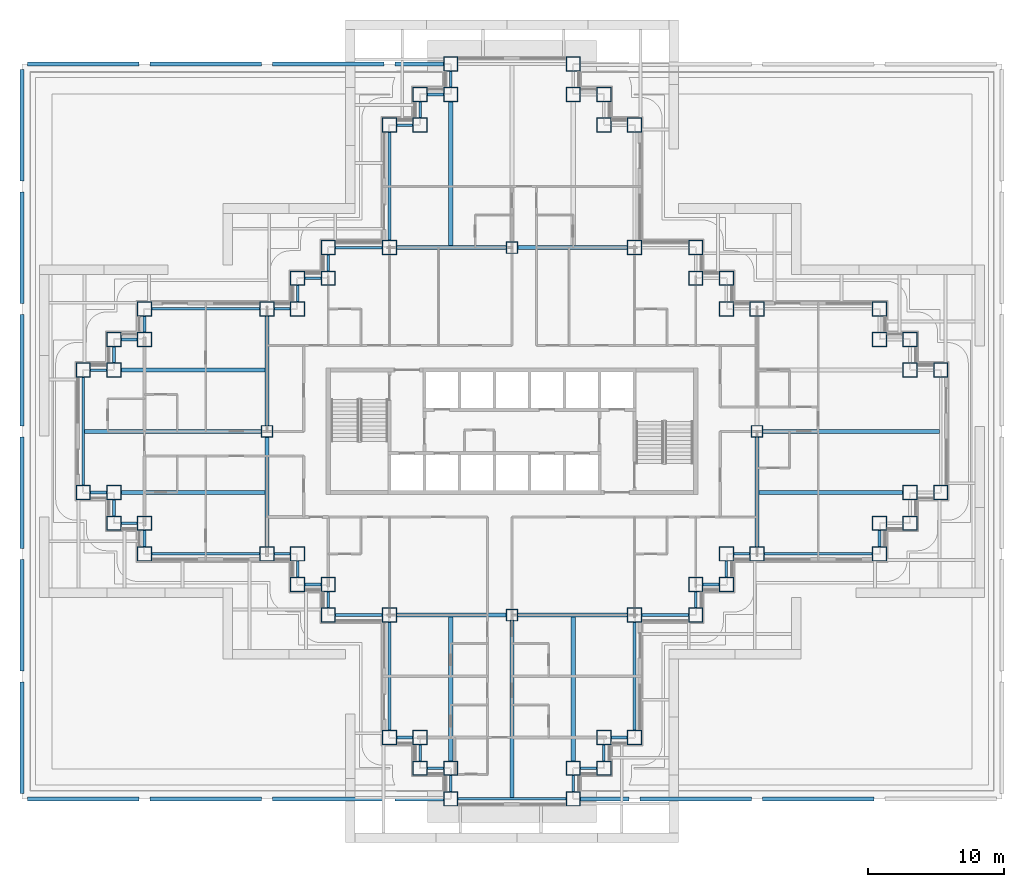
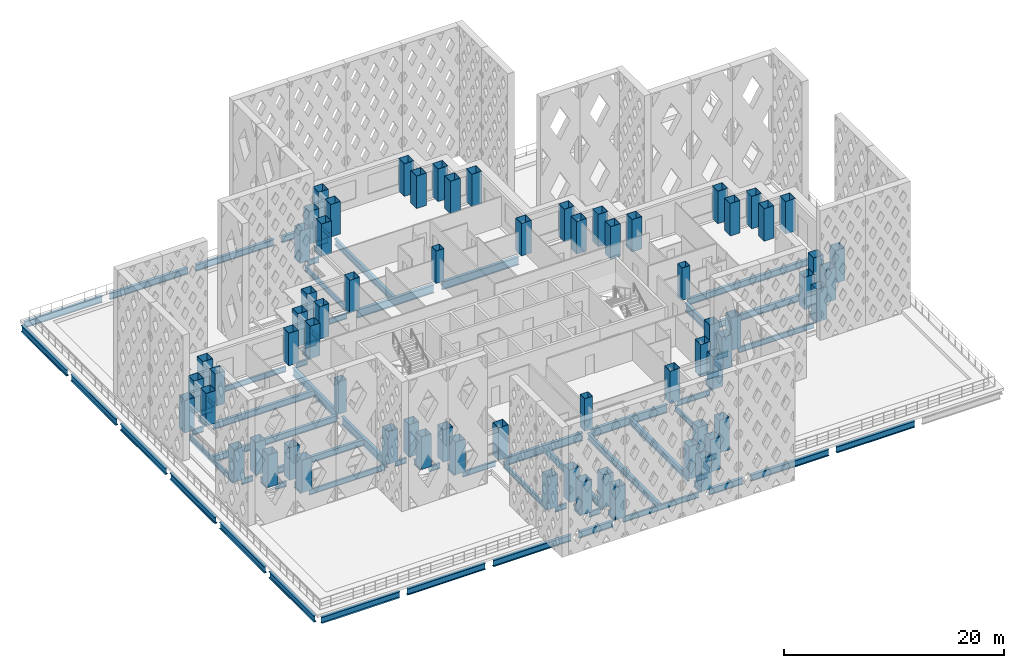
# One storey, part 1 of 26: 77 beams, 68 columns.
"""IFC4 building model written with IfcOpenShell, lengths in metres."""

from ifc_helpers import new_model, si_unit, direction, frame, origin, origin_2d, place, context, subcontext, project, spatial, hollow_rectangle, i_section, extrude, material, material_profile, profile_set, type_object, element, save


model = new_model("IFC4")

# Units and contexts
model_context = context("Model", 3, precision=1e-05, world=origin(), true_north=direction((0.0, 1.0)))
body_context = subcontext(model_context, "Body", "Model", "MODEL_VIEW")
ifc_project = project(units=[si_unit("LENGTHUNIT", "METRE"), si_unit("AREAUNIT", "SQUARE_METRE"), si_unit("VOLUMEUNIT", "CUBIC_METRE"), si_unit("PLANEANGLEUNIT", "RADIAN"), si_unit("MASSUNIT", "GRAM", prefix="KILO")], contexts=[model_context])

# Site, building, storey
site_placement = place(None, origin())
site = spatial("IfcSite", under=ifc_project, at=site_placement, CompositionType="ELEMENT")
building_placement = place(site_placement, origin())
building = spatial("IfcBuilding", under=site, at=building_placement, Name="Caravel Reach Hotel and Residences", CompositionType="ELEMENT")
storey_placement = place(building_placement, frame((0.0, 0.0, 33.60009765625)))
storey = spatial("IfcBuildingStorey", under=building, at=storey_placement, Name="L06", CompositionType="ELEMENT", Elevation=33.60009765625)

# Columns
ifc_material_1 = material(Name="Concrete-filled steel tube Q390B with Concrete C70 infill", Category="concrete")
ifc_material_profile_1 = material_profile(ifc_material_1, hollow_rectangle(XDim=1.050048828125, YDim=1.050048828125, WallThickness=0.033935546875, at=origin_2d()), Name="RHS 1050x1050x34")
ifc_profile_set_1 = profile_set([ifc_material_profile_1], Name="Concrete-filled steel tube Q390B with Concrete C70 infill")
column_type_1 = type_object("IfcColumnType", Name="CFT 1050x1050 Q390B C70", PredefinedType="COLUMN", material=ifc_profile_set_1)
for number, where, z_axis, x_axis, name in (
    (1, (22.5, 4.5, 0.0), (0.0, 0.0, 1.0), (1.0, 0.0, 0.0), "C11 column"),
    (2, (24.75, 4.5, 0.0), (0.0, 0.0, 1.0), (1.0, 0.0, 0.0), "C11 column"),
    (3, (24.75, 2.25, 0.0), (0.0, 0.0, 1.0), (1.0, 0.0, 0.0), "C11 column"),
    (4, (27.0, 2.25, 0.0), (0.0, 0.0, 1.0), (1.0, 0.0, 0.0), "C11 column"),
    (5, (27.0, 0.0, 0.0), (0.0, 0.0, 1.0), (1.0, 0.0, 0.0), "C11 column"),
    (6, (36.0, 0.0, 0.0), (0.0, 0.0, 1.0), (1.0, 0.0, 0.0), "C11 column"),
    (7, (36.0, 2.25, 0.0), (0.0, 0.0, 1.0), (1.0, 0.0, 0.0), "C11 column"),
    (8, (38.25, 2.25, 0.0), (0.0, 0.0, 1.0), (1.0, 0.0, 0.0), "C11 column"),
    (9, (38.25, 4.5, 0.0), (0.0, 0.0, 1.0), (1.0, 0.0, 0.0), "C11 column"),
    (10, (40.5, 4.5, 0.0), (0.0, 0.0, 1.0), (1.0, 0.0, 0.0), "C11 column"),
    (11, (40.5, 13.5, 0.0), (0.0, 0.0, 1.0), (1.0, 0.0, 0.0), "C11 column"),
    (12, (45.0, 13.5, 0.0), (0.0, 0.0, 1.0), (1.0, 0.0, 0.0), "C11 column"),
    (13, (45.0, 15.75, 0.0), (0.0, 0.0, 1.0), (1.0, 0.0, 0.0), "C11 column"),
    (14, (47.25, 15.75, 0.0), (0.0, 0.0, 1.0), (1.0, 0.0, 0.0), "C11 column"),
    (15, (47.25, 18.0, 0.0), (0.0, 0.0, 1.0), (1.0, 0.0, 0.0), "C11 column"),
    (16, (49.5, 18.0, 0.0), (0.0, 0.0, 1.0), (1.0, 0.0, 0.0), "C11 column"),
    (17, (58.5, 18.0, 0.0), (0.0, 0.0, 1.0), (1.0, 0.0, 0.0), "C11 column"),
    (18, (58.5, 20.25, 0.0), (0.0, 0.0, 1.0), (1.0, 0.0, 0.0), "C11 column"),
    (19, (60.75, 20.25, 0.0), (0.0, 0.0, 1.0), (1.0, 0.0, 0.0), "C11 column"),
    (20, (60.75, 22.5, 0.0), (0.0, 0.0, 1.0), (1.0, 0.0, 0.0), "C11 column"),
    (21, (63.0, 22.5, 0.0), (0.0, 0.0, 1.0), (1.0, 0.0, 0.0), "C11 column"),
    (22, (63.0, 31.5, 0.0), (0.0, 0.0, 1.0), (1.0, 0.0, 0.0), "C11 column"),
    (23, (60.75, 31.5, 0.0), (0.0, 0.0, 1.0), (1.0, 0.0, 0.0), "C11 column"),
    (24, (60.75, 33.75, 0.0), (0.0, 0.0, 1.0), (1.0, 0.0, 0.0), "C11 column"),
    (25, (58.5, 33.75, 0.0), (0.0, 0.0, 1.0), (1.0, 0.0, 0.0), "C11 column"),
    (26, (58.5, 36.0, 0.0), (0.0, 0.0, 1.0), (1.0, 0.0, 0.0), "C11 column"),
    (27, (49.5, 36.0, 0.0), (0.0, 0.0, 1.0), (1.0, 0.0, 0.0), "C11 column"),
    (28, (47.25, 36.0, 0.0), (0.0, 0.0, 1.0), (1.0, 0.0, 0.0), "C11 column"),
    (29, (47.25, 38.25, 0.0), (0.0, 0.0, 1.0), (1.0, 0.0, 0.0), "C11 column"),
    (30, (45.0, 38.25, 0.0), (0.0, 0.0, 1.0), (1.0, 0.0, 0.0), "C11 column"),
    (31, (45.0, 40.5, 0.0), (0.0, 0.0, 1.0), (1.0, 0.0, 0.0), "C11 column"),
    (32, (40.5, 40.5, 0.0), (0.0, 0.0, 1.0), (1.0, 0.0, 0.0), "C11 column"),
    (33, (40.5, 49.5, 0.0), (0.0, 0.0, 1.0), (1.0, 0.0, 0.0), "C11 column"),
    (34, (38.25, 49.5, 0.0), (0.0, 0.0, 1.0), (1.0, 0.0, 0.0), "C11 column"),
    (35, (38.25, 51.75, 0.0), (0.0, 0.0, 1.0), (1.0, 0.0, 0.0), "C11 column"),
    (36, (36.0, 51.75, 0.0), (0.0, 0.0, 1.0), (1.0, 0.0, 0.0), "C11 column"),
    (37, (36.0, 54.0, 0.0), (0.0, 0.0, 1.0), (1.0, 0.0, 0.0), "C11 column"),
    (38, (27.0, 54.0, 0.0), (0.0, 0.0, 1.0), (1.0, 0.0, 0.0), "C11 column"),
    (39, (27.0, 51.75, 0.0), (0.0, 0.0, 1.0), (1.0, 0.0, 0.0), "C11 column"),
    (40, (24.75, 51.75, 0.0), (0.0, 0.0, 1.0), (1.0, 0.0, 0.0), "C11 column"),
    (41, (24.75, 49.5, 0.0), (0.0, 0.0, 1.0), (1.0, 0.0, 0.0), "C11 column"),
    (42, (22.5, 49.5, 0.0), (0.0, 0.0, 1.0), (1.0, 0.0, 0.0), "C11 column"),
    (43, (22.5, 40.5, 0.0), (0.0, 0.0, 1.0), (1.0, 0.0, 0.0), "C11 column"),
    (44, (18.0, 40.5, 0.0), (0.0, 0.0, 1.0), (1.0, 0.0, 0.0), "C11 column"),
    (45, (18.0, 38.25, 0.0), (0.0, 0.0, 1.0), (1.0, 0.0, 0.0), "C11 column"),
    (46, (15.75, 38.25, 0.0), (0.0, 0.0, 1.0), (1.0, 0.0, 0.0), "C11 column"),
    (47, (15.75, 36.0, 0.0), (0.0, 0.0, 1.0), (1.0, 0.0, 0.0), "C11 column"),
    (48, (13.5, 36.0, 0.0), (0.0, 0.0, 1.0), (1.0, 0.0, 0.0), "C11 column"),
    (49, (4.5, 36.0, 0.0), (0.0, 0.0, 1.0), (1.0, 0.0, 0.0), "C11 column"),
    (50, (4.5, 33.75, 0.0), (0.0, 0.0, 1.0), (1.0, 0.0, 0.0), "C11 column"),
    (51, (2.25, 33.75, 0.0), (0.0, 0.0, 1.0), (1.0, 0.0, 0.0), "C11 column"),
    (52, (2.25, 31.5, 0.0), (0.0, 0.0, 1.0), (1.0, 0.0, 0.0), "C11 column"),
    (53, (0.0, 31.5, 0.0), (0.0, 0.0, 1.0), (1.0, 0.0, 0.0), "C11 column"),
    (54, (0.0, 22.5, 0.0), (0.0, 0.0, 1.0), (1.0, 0.0, 0.0), "C11 column"),
    (55, (2.25, 22.5, 0.0), (0.0, 0.0, 1.0), (1.0, 0.0, 0.0), "C11 column"),
    (56, (2.25, 20.25, 0.0), (0.0, 0.0, 1.0), (1.0, 0.0, 0.0), "C11 column"),
    (57, (4.5, 20.25, 0.0), (0.0, 0.0, 1.0), (1.0, 0.0, 0.0), "C11 column"),
    (58, (4.5, 18.0, 0.0), (0.0, 0.0, 1.0), (1.0, 0.0, 0.0), "C11 column"),
    (59, (13.5, 18.0, 0.0), (0.0, 0.0, 1.0), (1.0, 0.0, 0.0), "C11 column"),
    (60, (15.75, 18.0, 0.0), (0.0, 0.0, 1.0), (1.0, 0.0, 0.0), "C11 column"),
    (61, (15.75, 15.75, 0.0), (0.0, 0.0, 1.0), (1.0, 0.0, 0.0), "C11 column"),
    (62, (18.0, 15.75, 0.0), (0.0, 0.0, 1.0), (1.0, 0.0, 0.0), "C11 column"),
    (63, (18.0, 13.5, 0.0), (0.0, 0.0, 1.0), (1.0, 0.0, 0.0), "C11 column"),
    (64, (22.5, 13.5, 0.0), (0.0, 0.0, 1.0), (1.0, 0.0, 0.0), "C11 column"),
):
    element("IfcColumn", number, at=place(storey_placement, frame(where, z_axis=z_axis, x_axis=x_axis)), inside=storey, type_object=column_type_1, Name=name, PredefinedType="COLUMN", context=body_context, shape_type="SweptSolid", body=[
        extrude(hollow_rectangle(XDim=1.050048828125, YDim=1.050048828125, WallThickness=0.033935546875, at=origin_2d()), origin(), (0.0, 0.0, 1.0), 3.599853515625),
    ])
ifc_material_2 = material(Name="Concrete-filled steel tube Q390B with Concrete C70 infill", Category="concrete")
ifc_material_profile_2 = material_profile(ifc_material_2, hollow_rectangle(XDim=0.85009765625, YDim=0.85009765625, WallThickness=0.02587890625, at=origin_2d()), Name="RHS 850x850x26")
ifc_profile_set_2 = profile_set([ifc_material_profile_2], Name="Concrete-filled steel tube Q390B with Concrete C70 infill")
column_type_2 = type_object("IfcColumnType", Name="CFT 850x850 Q390B C70", PredefinedType="COLUMN", material=ifc_profile_set_2)
for number, where, z_axis, x_axis, name in (
    (65, (31.5, 40.5, 0.0), (0.0, 0.0, 1.0), (1.0, 0.0, 0.0), "C13 column"),
    (66, (31.5, 13.5, 0.0), (0.0, 0.0, 1.0), (1.0, 0.0, 0.0), "C13 column"),
    (67, (13.5, 27.0, 0.0), (0.0, 0.0, 1.0), (1.0, 0.0, 0.0), "C13 column"),
    (68, (49.5, 27.0, 0.0), (0.0, 0.0, 1.0), (1.0, 0.0, 0.0), "C13 column"),
):
    element("IfcColumn", number, at=place(storey_placement, frame(where, z_axis=z_axis, x_axis=x_axis)), inside=storey, type_object=column_type_2, Name=name, PredefinedType="COLUMN", context=body_context, shape_type="SweptSolid", body=[
        extrude(hollow_rectangle(XDim=0.85009765625, YDim=0.85009765625, WallThickness=0.02587890625, at=origin_2d()), origin(), (0.0, 0.0, 1.0), 3.599853515625),
    ])

# Beams
ifc_material_3 = material(Name="Structural steel Q355B", Category="steel")
ifc_material_profile_3 = material_profile(ifc_material_3, i_section(OverallWidth=0.300048828125, OverallDepth=0.699951171875, WebThickness=0.012939453125, FlangeThickness=0.02392578125, FilletRadius=0.01806640625, at=origin_2d()), Name="HN 700x300x13x24")
ifc_profile_set_3 = profile_set([ifc_material_profile_3], Name="Structural steel Q355B")
beam_type_1 = type_object("IfcBeamType", Name="Beam HN 700x300x13x24", PredefinedType="BEAM", material=ifc_profile_set_3)
for number, where, z_axis, x_axis, name in (
    (69, (27.0, 40.60009765625, -0.650146484375), (0.0, 1.0, 0.0), (-1.0, 0.0, 0.0), "B2 HN 700x300x13x24"),
    (70, (27.0, 13.39990234375, -0.650146484375), (0.0, -1.0, 0.0), (1.0, 0.0, 0.0), "B2 HN 700x300x13x24"),
):
    element("IfcBeam", number, at=place(storey_placement, frame(where, z_axis=z_axis, x_axis=x_axis)), inside=storey, type_object=beam_type_1, Name=name, PredefinedType="BEAM", context=body_context, shape_type="SweptSolid", body=[
        extrude(i_section(OverallWidth=0.300048828125, OverallDepth=0.699951171875, WebThickness=0.012939453125, FlangeThickness=0.02392578125, FilletRadius=0.01806640625, at=origin_2d()), origin(), (0.0, 0.0, 1.0), 10.6748046875),
    ])
beam_1_placement = place(storey_placement, frame((31.5, 13.125, -0.650146484375), z_axis=(0.0, -1.0, 0.0), x_axis=(1.0, 0.0, 0.0)))
element("IfcBeam", 71, at=beam_1_placement, inside=storey, type_object=beam_type_1, Name="B2 HN 700x300x13x24", PredefinedType="BEAM", context=body_context, shape_type="SweptSolid", body=[
    extrude(i_section(OverallWidth=0.300048828125, OverallDepth=0.699951171875, WebThickness=0.012939453125, FlangeThickness=0.02392578125, FilletRadius=0.01806640625, at=origin_2d()), origin(), (0.0, 0.0, 1.0), 13.02490234375),
])
for number, where, z_axis, x_axis, name in (
    (72, (36.0, 13.39990234375, -0.650146484375), (0.0, -1.0, 0.0), (1.0, 0.0, 0.0), "B2 HN 700x300x13x24"),
    (73, (49.60009765625, 22.5, -0.650146484375), (1.0, 0.0, 0.0), (0.0, 1.0, 0.0), "B2 HN 700x300x13x24"),
):
    element("IfcBeam", number, at=place(storey_placement, frame(where, z_axis=z_axis, x_axis=x_axis)), inside=storey, type_object=beam_type_1, Name=name, PredefinedType="BEAM", context=body_context, shape_type="SweptSolid", body=[
        extrude(i_section(OverallWidth=0.300048828125, OverallDepth=0.699951171875, WebThickness=0.012939453125, FlangeThickness=0.02392578125, FilletRadius=0.01806640625, at=origin_2d()), origin(), (0.0, 0.0, 1.0), 10.6748046875),
    ])
beam_2_placement = place(storey_placement, frame((49.875, 27.0, -0.650146484375), z_axis=(1.0, 0.0, 0.0), x_axis=(0.0, 1.0, 0.0)))
element("IfcBeam", 74, at=beam_2_placement, inside=storey, type_object=beam_type_1, Name="B2 HN 700x300x13x24", PredefinedType="BEAM", context=body_context, shape_type="SweptSolid", body=[
    extrude(i_section(OverallWidth=0.300048828125, OverallDepth=0.699951171875, WebThickness=0.012939453125, FlangeThickness=0.02392578125, FilletRadius=0.01806640625, at=origin_2d()), origin(), (0.0, 0.0, 1.0), 13.02490234375),
])
beam_3_placement = place(storey_placement, frame((13.39990234375, 22.5, -0.650146484375), z_axis=(-1.0, 0.0, 0.0), x_axis=(0.0, -1.0, 0.0)))
element("IfcBeam", 75, at=beam_3_placement, inside=storey, type_object=beam_type_1, Name="B2 HN 700x300x13x24", PredefinedType="BEAM", context=body_context, shape_type="SweptSolid", body=[
    extrude(i_section(OverallWidth=0.300048828125, OverallDepth=0.699951171875, WebThickness=0.012939453125, FlangeThickness=0.02392578125, FilletRadius=0.01806640625, at=origin_2d()), origin(), (0.0, 0.0, 1.0), 10.6748046875),
])
beam_4_placement = place(storey_placement, frame((13.125, 27.0, -0.650146484375), z_axis=(-1.0, 0.0, 0.0), x_axis=(0.0, -1.0, 0.0)))
element("IfcBeam", 76, at=beam_4_placement, inside=storey, type_object=beam_type_1, Name="B2 HN 700x300x13x24", PredefinedType="BEAM", context=body_context, shape_type="SweptSolid", body=[
    extrude(i_section(OverallWidth=0.300048828125, OverallDepth=0.699951171875, WebThickness=0.012939453125, FlangeThickness=0.02392578125, FilletRadius=0.01806640625, at=origin_2d()), origin(), (0.0, 0.0, 1.0), 13.02490234375),
])
beam_5_placement = place(storey_placement, frame((13.39990234375, 31.5, -0.650146484375), z_axis=(-1.0, 0.0, 0.0), x_axis=(0.0, -1.0, 0.0)))
element("IfcBeam", 77, at=beam_5_placement, inside=storey, type_object=beam_type_1, Name="B2 HN 700x300x13x24", PredefinedType="BEAM", context=body_context, shape_type="SweptSolid", body=[
    extrude(i_section(OverallWidth=0.300048828125, OverallDepth=0.699951171875, WebThickness=0.012939453125, FlangeThickness=0.02392578125, FilletRadius=0.01806640625, at=origin_2d()), origin(), (0.0, 0.0, 1.0), 10.6748046875),
])
ifc_material_4 = material(Name="Structural steel Q355B", Category="steel")
ifc_material_profile_4 = material_profile(ifc_material_4, i_section(OverallWidth=0.300048828125, OverallDepth=0.89990234375, WebThickness=0.01611328125, FlangeThickness=0.028076171875, FilletRadius=0.01806640625, at=origin_2d()), Name="HN 900x300x16x28")
ifc_profile_set_4 = profile_set([ifc_material_profile_4], Name="Structural steel Q355B")
beam_type_2 = type_object("IfcBeamType", Name="Beam HN 900x300x16x28", PredefinedType="BEAM", material=ifc_profile_set_4)
for number, where, z_axis, x_axis, name in (
    (78, (23.02490234375, 40.5, -0.75), (1.0, 0.0, 0.0), (0.0, 1.0, 0.0), "B3 HN 900x300x16x28"),
    (79, (31.925048828125, 40.5, -0.75), (1.0, 0.0, 0.0), (0.0, 1.0, 0.0), "B3 HN 900x300x16x28"),
    (80, (23.02490234375, 13.5, -0.75), (1.0, 0.0, 0.0), (0.0, 1.0, 0.0), "B3 HN 900x300x16x28"),
    (81, (31.925048828125, 13.5, -0.75), (1.0, 0.0, 0.0), (0.0, 1.0, 0.0), "B3 HN 900x300x16x28"),
    (82, (13.5, 18.52490234375, -0.75), (0.0, 1.0, 0.0), (-1.0, 0.0, 0.0), "B3 HN 900x300x16x28"),
    (83, (13.5, 27.425048828125, -0.75), (0.0, 1.0, 0.0), (-1.0, 0.0, 0.0), "B3 HN 900x300x16x28"),
    (84, (49.5, 18.52490234375, -0.75), (0.0, 1.0, 0.0), (-1.0, 0.0, 0.0), "B3 HN 900x300x16x28"),
):
    element("IfcBeam", number, at=place(storey_placement, frame(where, z_axis=z_axis, x_axis=x_axis)), inside=storey, type_object=beam_type_2, Name=name, PredefinedType="BEAM", context=body_context, shape_type="SweptSolid", body=[
        extrude(i_section(OverallWidth=0.300048828125, OverallDepth=0.89990234375, WebThickness=0.01611328125, FlangeThickness=0.028076171875, FilletRadius=0.01806640625, at=origin_2d()), origin(), (0.0, 0.0, 1.0), 8.050048828125),
    ])
ifc_material_5 = material(Name="Structural steel Q355B", Category="steel")
ifc_material_profile_5 = material_profile(ifc_material_5, i_section(OverallWidth=0.300048828125, OverallDepth=0.699951171875, WebThickness=0.012939453125, FlangeThickness=0.02392578125, FilletRadius=0.01806640625, at=origin_2d()), Name="HN 700x300x13x24")
ifc_profile_set_5 = profile_set([ifc_material_profile_5], Name="Structural steel Q355B")
beam_type_3 = type_object("IfcBeamType", Name="Edge beam HN 700x300x13x24", PredefinedType="USERDEFINED", material=ifc_profile_set_5)
for number, where, z_axis, x_axis, name in (
    (85, (58.10009765625, 0.0, -0.650146484375), (-1.0, 0.0, 0.0), (0.0, -1.0, 0.0), "EB2 HN 700x300x13x24"),
    (86, (49.10009765625, 0.0, -0.650146484375), (-1.0, 0.0, 0.0), (0.0, -1.0, 0.0), "EB2 HN 700x300x13x24"),
):
    element("IfcBeam", number, at=place(storey_placement, frame(where, z_axis=z_axis, x_axis=x_axis)), inside=storey, type_object=beam_type_3, Name=name, ObjectType="Edge beam", PredefinedType="USERDEFINED", context=body_context, shape_type="SweptSolid", body=[
        extrude(i_section(OverallWidth=0.300048828125, OverallDepth=0.699951171875, WebThickness=0.012939453125, FlangeThickness=0.02392578125, FilletRadius=0.01806640625, at=origin_2d()), origin(), (0.0, 0.0, 1.0), 8.2001953125),
    ])
beam_6_placement = place(storey_placement, frame((40.10009765625, 0.0, -0.650146484375), z_axis=(-1.0, 0.0, 0.0), x_axis=(0.0, -1.0, 0.0)))
element("IfcBeam", 87, at=beam_6_placement, inside=storey, type_object=beam_type_3, Name="EB2 HN 700x300x13x24", ObjectType="Edge beam", PredefinedType="USERDEFINED", context=body_context, shape_type="SweptSolid", body=[
    extrude(i_section(OverallWidth=0.300048828125, OverallDepth=0.699951171875, WebThickness=0.012939453125, FlangeThickness=0.02392578125, FilletRadius=0.01806640625, at=origin_2d()), origin(), (0.0, 0.0, 1.0), 3.550048828125),
])
for number, where, z_axis, x_axis, name in (
    (88, (-4.5, 0.39990234375, -0.650146484375), (0.0, 1.0, 0.0), (-1.0, 0.0, 0.0), "EB2 HN 700x300x13x24"),
    (89, (-4.5, 9.39990234375, -0.650146484375), (0.0, 1.0, 0.0), (-1.0, 0.0, 0.0), "EB2 HN 700x300x13x24"),
    (90, (-4.5, 18.39990234375, -0.650146484375), (0.0, 1.0, 0.0), (-1.0, 0.0, 0.0), "EB2 HN 700x300x13x24"),
    (91, (-4.5, 27.39990234375, -0.650146484375), (0.0, 1.0, 0.0), (-1.0, 0.0, 0.0), "EB2 HN 700x300x13x24"),
    (92, (-4.5, 36.39990234375, -0.650146484375), (0.0, 1.0, 0.0), (-1.0, 0.0, 0.0), "EB2 HN 700x300x13x24"),
    (93, (-4.5, 45.39990234375, -0.650146484375), (0.0, 1.0, 0.0), (-1.0, 0.0, 0.0), "EB2 HN 700x300x13x24"),
    (94, (-4.10009765625, 54.0, -0.650146484375), (1.0, 0.0, 0.0), (0.0, 1.0, 0.0), "EB2 HN 700x300x13x24"),
    (95, (4.89990234375, 54.0, -0.650146484375), (1.0, 0.0, 0.0), (0.0, 1.0, 0.0), "EB2 HN 700x300x13x24"),
    (96, (13.89990234375, 54.0, -0.650146484375), (1.0, 0.0, 0.0), (0.0, 1.0, 0.0), "EB2 HN 700x300x13x24"),
):
    element("IfcBeam", number, at=place(storey_placement, frame(where, z_axis=z_axis, x_axis=x_axis)), inside=storey, type_object=beam_type_3, Name=name, ObjectType="Edge beam", PredefinedType="USERDEFINED", context=body_context, shape_type="SweptSolid", body=[
        extrude(i_section(OverallWidth=0.300048828125, OverallDepth=0.699951171875, WebThickness=0.012939453125, FlangeThickness=0.02392578125, FilletRadius=0.01806640625, at=origin_2d()), origin(), (0.0, 0.0, 1.0), 8.2001953125),
    ])
for number, where, z_axis, x_axis, name in (
    (97, (22.89990234375, 54.0, -0.650146484375), (1.0, 0.0, 0.0), (0.0, 1.0, 0.0), "EB2 HN 700x300x13x24"),
    (98, (26.449951171875, 0.0, -0.650146484375), (-1.0, 0.0, 0.0), (0.0, -1.0, 0.0), "EB2 HN 700x300x13x24"),
):
    element("IfcBeam", number, at=place(storey_placement, frame(where, z_axis=z_axis, x_axis=x_axis)), inside=storey, type_object=beam_type_3, Name=name, ObjectType="Edge beam", PredefinedType="USERDEFINED", context=body_context, shape_type="SweptSolid", body=[
        extrude(i_section(OverallWidth=0.300048828125, OverallDepth=0.699951171875, WebThickness=0.012939453125, FlangeThickness=0.02392578125, FilletRadius=0.01806640625, at=origin_2d()), origin(), (0.0, 0.0, 1.0), 3.550048828125),
    ])
for number, where, z_axis, x_axis, name in (
    (99, (22.10009765625, 0.0, -0.650146484375), (-1.0, 0.0, 0.0), (0.0, -1.0, 0.0), "EB2 HN 700x300x13x24"),
    (100, (13.10009765625, 0.0, -0.650146484375), (-1.0, 0.0, 0.0), (0.0, -1.0, 0.0), "EB2 HN 700x300x13x24"),
    (101, (4.10009765625, 0.0, -0.650146484375), (-1.0, 0.0, 0.0), (0.0, -1.0, 0.0), "EB2 HN 700x300x13x24"),
):
    element("IfcBeam", number, at=place(storey_placement, frame(where, z_axis=z_axis, x_axis=x_axis)), inside=storey, type_object=beam_type_3, Name=name, ObjectType="Edge beam", PredefinedType="USERDEFINED", context=body_context, shape_type="SweptSolid", body=[
        extrude(i_section(OverallWidth=0.300048828125, OverallDepth=0.699951171875, WebThickness=0.012939453125, FlangeThickness=0.02392578125, FilletRadius=0.01806640625, at=origin_2d()), origin(), (0.0, 0.0, 1.0), 8.2001953125),
    ])
ifc_material_6 = material(Name="Structural steel Q355B", Category="steel")
ifc_material_profile_6 = material_profile(ifc_material_6, i_section(OverallWidth=0.199951171875, OverallDepth=0.60009765625, WebThickness=0.010986328125, FlangeThickness=0.01708984375, FilletRadius=0.012939453125, at=origin_2d()), Name="HN 600x200x11x17")
ifc_profile_set_6 = profile_set([ifc_material_profile_6], Name="Structural steel Q355B")
beam_type_4 = type_object("IfcBeamType", Name="Spandrel beam HN 600x200x11x17", PredefinedType="SPANDREL", material=ifc_profile_set_6)
for number, where, z_axis, x_axis, name in (
    (102, (23.02490234375, 4.5, -0.60009765625), (1.0, 0.0, 0.0), (0.0, 1.0, 0.0), "SP1 HN 600x200x11x17"),
    (103, (24.75, 3.97509765625, -0.60009765625), (0.0, -1.0, 0.0), (1.0, 0.0, 0.0), "SP1 HN 600x200x11x17"),
    (104, (25.27490234375, 2.25, -0.60009765625), (1.0, 0.0, 0.0), (0.0, 1.0, 0.0), "SP1 HN 600x200x11x17"),
    (105, (27.0, 1.72509765625, -0.60009765625), (0.0, -1.0, 0.0), (1.0, 0.0, 0.0), "SP1 HN 600x200x11x17"),
):
    element("IfcBeam", number, at=place(storey_placement, frame(where, z_axis=z_axis, x_axis=x_axis)), inside=storey, type_object=beam_type_4, Name=name, PredefinedType="SPANDREL", context=body_context, shape_type="SweptSolid", body=[
        extrude(i_section(OverallWidth=0.199951171875, OverallDepth=0.60009765625, WebThickness=0.010986328125, FlangeThickness=0.01708984375, FilletRadius=0.012939453125, at=origin_2d()), origin(), (0.0, 0.0, 1.0), 1.2001953125),
    ])
beam_7_placement = place(storey_placement, frame((27.52490234375, 0.0, -0.60009765625), z_axis=(1.0, 0.0, 0.0), x_axis=(0.0, 1.0, 0.0)))
element("IfcBeam", 106, at=beam_7_placement, inside=storey, type_object=beam_type_4, Name="SP1 HN 600x200x11x17", PredefinedType="SPANDREL", context=body_context, shape_type="SweptSolid", body=[
    extrude(i_section(OverallWidth=0.199951171875, OverallDepth=0.60009765625, WebThickness=0.010986328125, FlangeThickness=0.01708984375, FilletRadius=0.012939453125, at=origin_2d()), origin(), (0.0, 0.0, 1.0), 7.9501953125),
])
for number, where, z_axis, x_axis, name in (
    (107, (36.0, 0.52490234375, -0.60009765625), (0.0, 1.0, 0.0), (-1.0, 0.0, 0.0), "SP1 HN 600x200x11x17"),
    (108, (36.52490234375, 2.25, -0.60009765625), (1.0, 0.0, 0.0), (0.0, 1.0, 0.0), "SP1 HN 600x200x11x17"),
    (109, (38.25, 2.77490234375, -0.60009765625), (0.0, 1.0, 0.0), (-1.0, 0.0, 0.0), "SP1 HN 600x200x11x17"),
    (110, (38.77490234375, 4.5, -0.60009765625), (1.0, 0.0, 0.0), (0.0, 1.0, 0.0), "SP1 HN 600x200x11x17"),
):
    element("IfcBeam", number, at=place(storey_placement, frame(where, z_axis=z_axis, x_axis=x_axis)), inside=storey, type_object=beam_type_4, Name=name, PredefinedType="SPANDREL", context=body_context, shape_type="SweptSolid", body=[
        extrude(i_section(OverallWidth=0.199951171875, OverallDepth=0.60009765625, WebThickness=0.010986328125, FlangeThickness=0.01708984375, FilletRadius=0.012939453125, at=origin_2d()), origin(), (0.0, 0.0, 1.0), 1.2001953125),
    ])
beam_8_placement = place(storey_placement, frame((40.5, 5.02490234375, -0.60009765625), z_axis=(0.0, 1.0, 0.0), x_axis=(-1.0, 0.0, 0.0)))
element("IfcBeam", 111, at=beam_8_placement, inside=storey, type_object=beam_type_4, Name="SP1 HN 600x200x11x17", PredefinedType="SPANDREL", context=body_context, shape_type="SweptSolid", body=[
    extrude(i_section(OverallWidth=0.199951171875, OverallDepth=0.60009765625, WebThickness=0.010986328125, FlangeThickness=0.01708984375, FilletRadius=0.012939453125, at=origin_2d()), origin(), (0.0, 0.0, 1.0), 7.9501953125),
])
beam_9_placement = place(storey_placement, frame((41.02490234375, 13.5, -0.60009765625), z_axis=(1.0, 0.0, 0.0), x_axis=(0.0, 1.0, 0.0)))
element("IfcBeam", 112, at=beam_9_placement, inside=storey, type_object=beam_type_4, Name="SP1 HN 600x200x11x17", PredefinedType="SPANDREL", context=body_context, shape_type="SweptSolid", body=[
    extrude(i_section(OverallWidth=0.199951171875, OverallDepth=0.60009765625, WebThickness=0.010986328125, FlangeThickness=0.01708984375, FilletRadius=0.012939453125, at=origin_2d()), origin(), (0.0, 0.0, 1.0), 3.4501953125),
])
for number, where, z_axis, x_axis, name in (
    (113, (45.0, 14.02490234375, -0.60009765625), (0.0, 1.0, 0.0), (-1.0, 0.0, 0.0), "SP1 HN 600x200x11x17"),
    (114, (45.52490234375, 15.75, -0.60009765625), (1.0, 0.0, 0.0), (0.0, 1.0, 0.0), "SP1 HN 600x200x11x17"),
    (115, (47.25, 16.27490234375, -0.60009765625), (0.0, 1.0, 0.0), (-1.0, 0.0, 0.0), "SP1 HN 600x200x11x17"),
    (116, (47.77490234375, 18.0, -0.60009765625), (1.0, 0.0, 0.0), (0.0, 1.0, 0.0), "SP1 HN 600x200x11x17"),
):
    element("IfcBeam", number, at=place(storey_placement, frame(where, z_axis=z_axis, x_axis=x_axis)), inside=storey, type_object=beam_type_4, Name=name, PredefinedType="SPANDREL", context=body_context, shape_type="SweptSolid", body=[
        extrude(i_section(OverallWidth=0.199951171875, OverallDepth=0.60009765625, WebThickness=0.010986328125, FlangeThickness=0.01708984375, FilletRadius=0.012939453125, at=origin_2d()), origin(), (0.0, 0.0, 1.0), 1.2001953125),
    ])
beam_10_placement = place(storey_placement, frame((50.02490234375, 18.0, -0.60009765625), z_axis=(1.0, 0.0, 0.0), x_axis=(0.0, 1.0, 0.0)))
element("IfcBeam", 117, at=beam_10_placement, inside=storey, type_object=beam_type_4, Name="SP1 HN 600x200x11x17", PredefinedType="SPANDREL", context=body_context, shape_type="SweptSolid", body=[
    extrude(i_section(OverallWidth=0.199951171875, OverallDepth=0.60009765625, WebThickness=0.010986328125, FlangeThickness=0.01708984375, FilletRadius=0.012939453125, at=origin_2d()), origin(), (0.0, 0.0, 1.0), 7.9501953125),
])
for number, where, z_axis, x_axis, name in (
    (118, (58.5, 18.52490234375, -0.60009765625), (0.0, 1.0, 0.0), (-1.0, 0.0, 0.0), "SP1 HN 600x200x11x17"),
    (119, (27.0, 53.47509765625, -0.60009765625), (0.0, -1.0, 0.0), (1.0, 0.0, 0.0), "SP1 HN 600x200x11x17"),
    (120, (26.47509765625, 51.75, -0.60009765625), (-1.0, 0.0, 0.0), (0.0, -1.0, 0.0), "SP1 HN 600x200x11x17"),
    (121, (24.75, 51.22509765625, -0.60009765625), (0.0, -1.0, 0.0), (1.0, 0.0, 0.0), "SP1 HN 600x200x11x17"),
    (122, (24.22509765625, 49.5, -0.60009765625), (-1.0, 0.0, 0.0), (0.0, -1.0, 0.0), "SP1 HN 600x200x11x17"),
):
    element("IfcBeam", number, at=place(storey_placement, frame(where, z_axis=z_axis, x_axis=x_axis)), inside=storey, type_object=beam_type_4, Name=name, PredefinedType="SPANDREL", context=body_context, shape_type="SweptSolid", body=[
        extrude(i_section(OverallWidth=0.199951171875, OverallDepth=0.60009765625, WebThickness=0.010986328125, FlangeThickness=0.01708984375, FilletRadius=0.012939453125, at=origin_2d()), origin(), (0.0, 0.0, 1.0), 1.2001953125),
    ])
beam_11_placement = place(storey_placement, frame((22.5, 48.97509765625, -0.60009765625), z_axis=(0.0, -1.0, 0.0), x_axis=(1.0, 0.0, 0.0)))
element("IfcBeam", 123, at=beam_11_placement, inside=storey, type_object=beam_type_4, Name="SP1 HN 600x200x11x17", PredefinedType="SPANDREL", context=body_context, shape_type="SweptSolid", body=[
    extrude(i_section(OverallWidth=0.199951171875, OverallDepth=0.60009765625, WebThickness=0.010986328125, FlangeThickness=0.01708984375, FilletRadius=0.012939453125, at=origin_2d()), origin(), (0.0, 0.0, 1.0), 7.9501953125),
])
beam_12_placement = place(storey_placement, frame((21.97509765625, 40.5, -0.60009765625), z_axis=(-1.0, 0.0, 0.0), x_axis=(0.0, -1.0, 0.0)))
element("IfcBeam", 124, at=beam_12_placement, inside=storey, type_object=beam_type_4, Name="SP1 HN 600x200x11x17", PredefinedType="SPANDREL", context=body_context, shape_type="SweptSolid", body=[
    extrude(i_section(OverallWidth=0.199951171875, OverallDepth=0.60009765625, WebThickness=0.010986328125, FlangeThickness=0.01708984375, FilletRadius=0.012939453125, at=origin_2d()), origin(), (0.0, 0.0, 1.0), 3.4501953125),
])
for number, where, z_axis, x_axis, name in (
    (125, (18.0, 39.97509765625, -0.60009765625), (0.0, -1.0, 0.0), (1.0, 0.0, 0.0), "SP1 HN 600x200x11x17"),
    (126, (17.47509765625, 38.25, -0.60009765625), (-1.0, 0.0, 0.0), (0.0, -1.0, 0.0), "SP1 HN 600x200x11x17"),
    (127, (15.75, 37.72509765625, -0.60009765625), (0.0, -1.0, 0.0), (1.0, 0.0, 0.0), "SP1 HN 600x200x11x17"),
    (128, (15.22509765625, 36.0, -0.60009765625), (-1.0, 0.0, 0.0), (0.0, -1.0, 0.0), "SP1 HN 600x200x11x17"),
):
    element("IfcBeam", number, at=place(storey_placement, frame(where, z_axis=z_axis, x_axis=x_axis)), inside=storey, type_object=beam_type_4, Name=name, PredefinedType="SPANDREL", context=body_context, shape_type="SweptSolid", body=[
        extrude(i_section(OverallWidth=0.199951171875, OverallDepth=0.60009765625, WebThickness=0.010986328125, FlangeThickness=0.01708984375, FilletRadius=0.012939453125, at=origin_2d()), origin(), (0.0, 0.0, 1.0), 1.2001953125),
    ])
beam_13_placement = place(storey_placement, frame((12.97509765625, 36.0, -0.60009765625), z_axis=(-1.0, 0.0, 0.0), x_axis=(0.0, -1.0, 0.0)))
element("IfcBeam", 129, at=beam_13_placement, inside=storey, type_object=beam_type_4, Name="SP1 HN 600x200x11x17", PredefinedType="SPANDREL", context=body_context, shape_type="SweptSolid", body=[
    extrude(i_section(OverallWidth=0.199951171875, OverallDepth=0.60009765625, WebThickness=0.010986328125, FlangeThickness=0.01708984375, FilletRadius=0.012939453125, at=origin_2d()), origin(), (0.0, 0.0, 1.0), 7.9501953125),
])
for number, where, z_axis, x_axis, name in (
    (130, (4.5, 35.47509765625, -0.60009765625), (0.0, -1.0, 0.0), (1.0, 0.0, 0.0), "SP1 HN 600x200x11x17"),
    (131, (3.97509765625, 33.75, -0.60009765625), (-1.0, 0.0, 0.0), (0.0, -1.0, 0.0), "SP1 HN 600x200x11x17"),
    (132, (2.25, 33.22509765625, -0.60009765625), (0.0, -1.0, 0.0), (1.0, 0.0, 0.0), "SP1 HN 600x200x11x17"),
    (133, (1.72509765625, 31.5, -0.60009765625), (-1.0, 0.0, 0.0), (0.0, -1.0, 0.0), "SP1 HN 600x200x11x17"),
):
    element("IfcBeam", number, at=place(storey_placement, frame(where, z_axis=z_axis, x_axis=x_axis)), inside=storey, type_object=beam_type_4, Name=name, PredefinedType="SPANDREL", context=body_context, shape_type="SweptSolid", body=[
        extrude(i_section(OverallWidth=0.199951171875, OverallDepth=0.60009765625, WebThickness=0.010986328125, FlangeThickness=0.01708984375, FilletRadius=0.012939453125, at=origin_2d()), origin(), (0.0, 0.0, 1.0), 1.2001953125),
    ])
beam_14_placement = place(storey_placement, frame((0.0, 30.97509765625, -0.60009765625), z_axis=(0.0, -1.0, 0.0), x_axis=(1.0, 0.0, 0.0)))
element("IfcBeam", 134, at=beam_14_placement, inside=storey, type_object=beam_type_4, Name="SP1 HN 600x200x11x17", PredefinedType="SPANDREL", context=body_context, shape_type="SweptSolid", body=[
    extrude(i_section(OverallWidth=0.199951171875, OverallDepth=0.60009765625, WebThickness=0.010986328125, FlangeThickness=0.01708984375, FilletRadius=0.012939453125, at=origin_2d()), origin(), (0.0, 0.0, 1.0), 7.9501953125),
])
for number, where, z_axis, x_axis, name in (
    (135, (0.52490234375, 22.5, -0.60009765625), (1.0, 0.0, 0.0), (0.0, 1.0, 0.0), "SP1 HN 600x200x11x17"),
    (136, (2.25, 21.97509765625, -0.60009765625), (0.0, -1.0, 0.0), (1.0, 0.0, 0.0), "SP1 HN 600x200x11x17"),
    (137, (2.77490234375, 20.25, -0.60009765625), (1.0, 0.0, 0.0), (0.0, 1.0, 0.0), "SP1 HN 600x200x11x17"),
    (138, (4.5, 19.72509765625, -0.60009765625), (0.0, -1.0, 0.0), (1.0, 0.0, 0.0), "SP1 HN 600x200x11x17"),
):
    element("IfcBeam", number, at=place(storey_placement, frame(where, z_axis=z_axis, x_axis=x_axis)), inside=storey, type_object=beam_type_4, Name=name, PredefinedType="SPANDREL", context=body_context, shape_type="SweptSolid", body=[
        extrude(i_section(OverallWidth=0.199951171875, OverallDepth=0.60009765625, WebThickness=0.010986328125, FlangeThickness=0.01708984375, FilletRadius=0.012939453125, at=origin_2d()), origin(), (0.0, 0.0, 1.0), 1.2001953125),
    ])
beam_15_placement = place(storey_placement, frame((5.02490234375, 18.0, -0.60009765625), z_axis=(1.0, 0.0, 0.0), x_axis=(0.0, 1.0, 0.0)))
element("IfcBeam", 139, at=beam_15_placement, inside=storey, type_object=beam_type_4, Name="SP1 HN 600x200x11x17", PredefinedType="SPANDREL", context=body_context, shape_type="SweptSolid", body=[
    extrude(i_section(OverallWidth=0.199951171875, OverallDepth=0.60009765625, WebThickness=0.010986328125, FlangeThickness=0.01708984375, FilletRadius=0.012939453125, at=origin_2d()), origin(), (0.0, 0.0, 1.0), 7.9501953125),
])
for number, where, z_axis, x_axis, name in (
    (140, (14.02490234375, 18.0, -0.60009765625), (1.0, 0.0, 0.0), (0.0, 1.0, 0.0), "SP1 HN 600x200x11x17"),
    (141, (15.75, 17.47509765625, -0.60009765625), (0.0, -1.0, 0.0), (1.0, 0.0, 0.0), "SP1 HN 600x200x11x17"),
    (142, (16.27490234375, 15.75, -0.60009765625), (1.0, 0.0, 0.0), (0.0, 1.0, 0.0), "SP1 HN 600x200x11x17"),
    (143, (18.0, 15.22509765625, -0.60009765625), (0.0, -1.0, 0.0), (1.0, 0.0, 0.0), "SP1 HN 600x200x11x17"),
):
    element("IfcBeam", number, at=place(storey_placement, frame(where, z_axis=z_axis, x_axis=x_axis)), inside=storey, type_object=beam_type_4, Name=name, PredefinedType="SPANDREL", context=body_context, shape_type="SweptSolid", body=[
        extrude(i_section(OverallWidth=0.199951171875, OverallDepth=0.60009765625, WebThickness=0.010986328125, FlangeThickness=0.01708984375, FilletRadius=0.012939453125, at=origin_2d()), origin(), (0.0, 0.0, 1.0), 1.2001953125),
    ])
beam_16_placement = place(storey_placement, frame((18.52490234375, 13.5, -0.60009765625), z_axis=(1.0, 0.0, 0.0), x_axis=(0.0, 1.0, 0.0)))
element("IfcBeam", 144, at=beam_16_placement, inside=storey, type_object=beam_type_4, Name="SP1 HN 600x200x11x17", PredefinedType="SPANDREL", context=body_context, shape_type="SweptSolid", body=[
    extrude(i_section(OverallWidth=0.199951171875, OverallDepth=0.60009765625, WebThickness=0.010986328125, FlangeThickness=0.01708984375, FilletRadius=0.012939453125, at=origin_2d()), origin(), (0.0, 0.0, 1.0), 3.4501953125),
])
beam_17_placement = place(storey_placement, frame((22.5, 12.97509765625, -0.60009765625), z_axis=(0.0, -1.0, 0.0), x_axis=(1.0, 0.0, 0.0)))
element("IfcBeam", 145, at=beam_17_placement, inside=storey, type_object=beam_type_4, Name="SP1 HN 600x200x11x17", PredefinedType="SPANDREL", context=body_context, shape_type="SweptSolid", body=[
    extrude(i_section(OverallWidth=0.199951171875, OverallDepth=0.60009765625, WebThickness=0.010986328125, FlangeThickness=0.01708984375, FilletRadius=0.012939453125, at=origin_2d()), origin(), (0.0, 0.0, 1.0), 7.9501953125),
])

save(model, "model.ifc")
